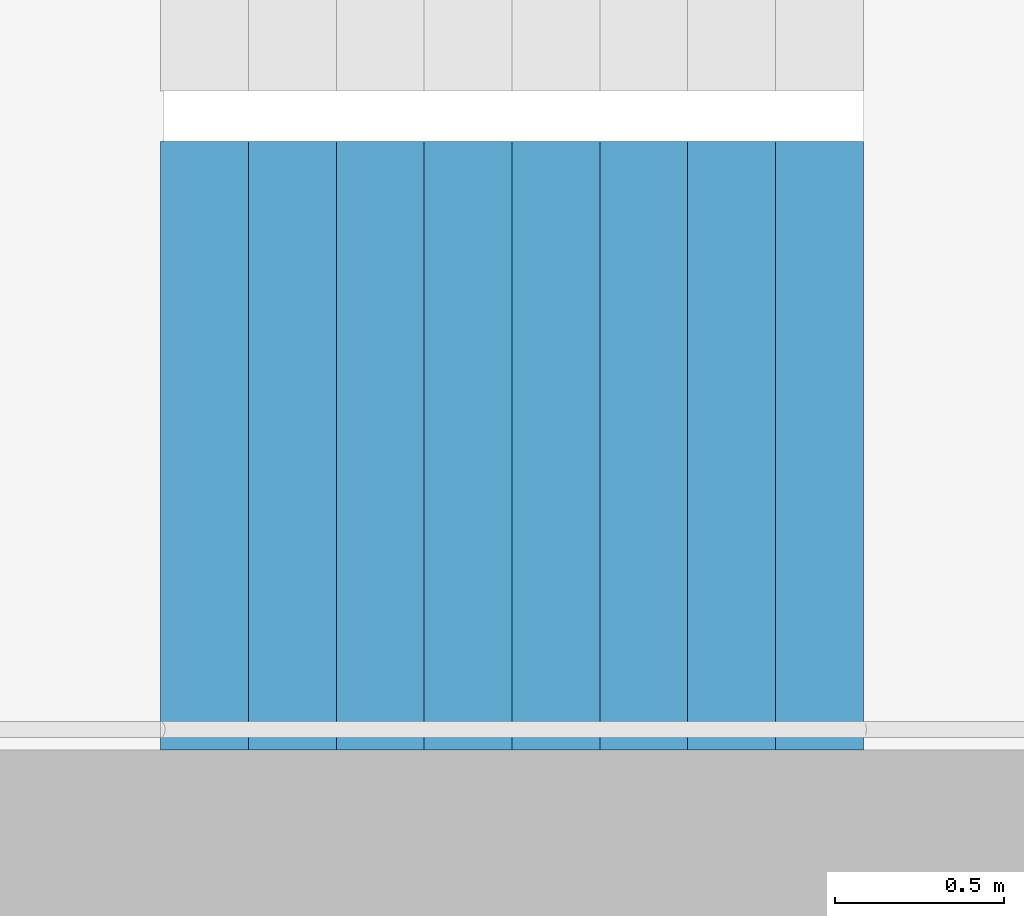
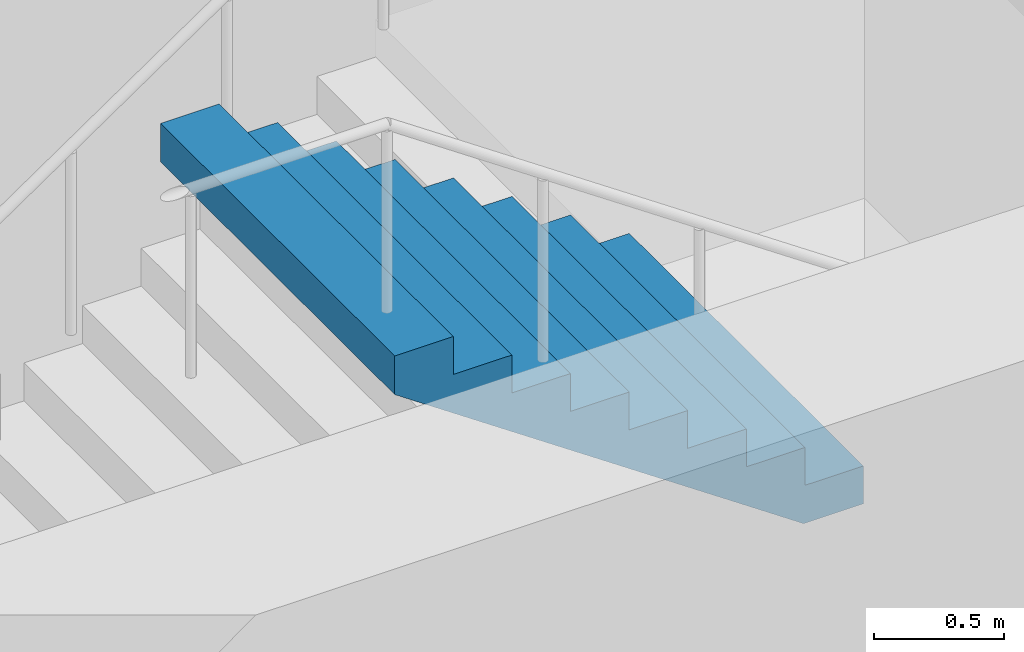
# One storey, part 21 of 29: 1 stair flight, 1 element without a shape of its own.
"""IFC4 building model written with IfcOpenShell, lengths in metres."""

from ifc_helpers import new_model, si_unit, direction, frame, origin, place, context, subcontext, project, spatial, triangles, material, type_object, element, aggregate, save


model = new_model("IFC4")

# Units and contexts
model_context = context("Model", 3, precision=1e-05, world=origin(), true_north=direction((0.0, 1.0)))
body_context = subcontext(model_context, "Body", "Model", "MODEL_VIEW")
ifc_project = project(units=[si_unit("LENGTHUNIT", "METRE"), si_unit("AREAUNIT", "SQUARE_METRE"), si_unit("VOLUMEUNIT", "CUBIC_METRE"), si_unit("PLANEANGLEUNIT", "RADIAN"), si_unit("MASSUNIT", "GRAM", prefix="KILO")], contexts=[model_context])

# Site, building, storey
site_placement = place(None, origin())
site = spatial("IfcSite", under=ifc_project, at=site_placement, CompositionType="ELEMENT")
building_placement = place(site_placement, origin())
building = spatial("IfcBuilding", under=site, at=building_placement, Name="Hakoniwa Tower and Hamabe Station Hall", CompositionType="ELEMENT")
storey_placement = place(building_placement, frame((0.0, 0.0, 205.800048828125)))
storey = spatial("IfcBuildingStorey", under=building, at=storey_placement, Name="L58", CompositionType="ELEMENT", Elevation=205.800048828125)

# Stair, stair flight
ifc_material_1 = material(Name="Concrete C40", Category="concrete")
stair_type = type_object("IfcStairType", Name="ESCAPE STAIR 1800", PredefinedType="HALF_TURN_STAIR", material=ifc_material_1)
stair_placement = place(storey_placement, origin())
stair = element("IfcStair", 1, at=stair_placement, inside=storey, type_object=stair_type, Name="Escape stair ST-4 L58", PredefinedType="HALF_TURN_STAIR")
ifc_material_2 = material(Name="Concrete C40", Category="concrete")
stair_flight_type = type_object("IfcStairFlightType", Name="STAIR FLIGHT 1800", PredefinedType="STRAIGHT", material=ifc_material_2)
stair_flight_placement = place(storey_placement, frame((25.47998046875, -6.60009765625, 1.599853515625), z_axis=(0.0, 0.0, 1.0), x_axis=(-1.0, 0.0, 0.0)))
stair_flight = element("IfcStairFlight", 2, at=stair_flight_placement, type_object=stair_flight_type, Name="ST-4 flight 2", NumberOfRisers=9, NumberOfTreads=8, PredefinedType="STRAIGHT", RiserHeight=0.177777778, TreadLength=0.26, context=body_context, shape_type="Tessellation", body=[
    triangles([(0.0, 0.89990234375, 0.0), (0.260009765625, 0.89990234375, 0.0), (0.265625, 0.89990234375, 0.0), (0.52001953125, 0.89990234375, 0.174072265625), (0.780029296875, 0.89990234375, 0.351806640625), (1.0400390625, 0.89990234375, 0.529541015625), (1.300048828125, 0.89990234375, 0.707275390625), (1.56005859375, 0.89990234375, 0.885009765625), (1.820068359375, 0.89990234375, 1.062744140625), (2.080078125, 0.89990234375, 1.24072265625), (2.080078125, 0.89990234375, 1.422119140625), (1.820068359375, 0.89990234375, 1.422119140625), (1.820068359375, 0.89990234375, 1.244384765625), (1.56005859375, 0.89990234375, 1.244384765625), (1.56005859375, 0.89990234375, 1.066650390625), (1.300048828125, 0.89990234375, 1.066650390625), (1.300048828125, 0.89990234375, 0.888916015625), (1.0400390625, 0.89990234375, 0.888916015625), (1.0400390625, 0.89990234375, 0.711181640625), (0.780029296875, 0.89990234375, 0.711181640625), (0.780029296875, 0.89990234375, 0.533447265625), (0.52001953125, 0.89990234375, 0.533447265625), (0.52001953125, 0.89990234375, 0.35546875), (0.265625, 0.89990234375, 0.35546875), (0.260009765625, 0.89990234375, 0.35546875), (0.260009765625, 0.89990234375, 0.177734375), (0.0, 0.89990234375, 0.177734375), (0.0, 0.06005859375, 0.0), (0.260009765625, 0.06005859375, 0.0), (0.265625, 0.06005859375, 0.0), (0.52001953125, 0.06005859375, 0.174072265625), (0.780029296875, 0.06005859375, 0.351806640625), (1.0400390625, 0.06005859375, 0.529541015625), (1.300048828125, 0.06005859375, 0.707275390625), (1.56005859375, 0.06005859375, 0.885009765625), (1.820068359375, 0.06005859375, 1.062744140625), (2.080078125, 0.06005859375, 1.24072265625), (2.080078125, 0.06005859375, 1.422119140625), (1.820068359375, 0.06005859375, 1.422119140625), (1.820068359375, 0.06005859375, 1.244384765625), (1.56005859375, 0.06005859375, 1.244384765625), (1.56005859375, 0.06005859375, 1.066650390625), (1.300048828125, 0.06005859375, 1.066650390625), (1.300048828125, 0.06005859375, 0.888916015625), (1.0400390625, 0.06005859375, 0.888916015625), (1.0400390625, 0.06005859375, 0.711181640625), (0.780029296875, 0.06005859375, 0.711181640625), (0.780029296875, 0.06005859375, 0.533447265625), (0.52001953125, 0.06005859375, 0.533447265625), (0.52001953125, 0.06005859375, 0.35546875), (0.265625, 0.06005859375, 0.35546875), (0.260009765625, 0.06005859375, 0.35546875), (0.260009765625, 0.06005859375, 0.177734375), (0.0, 0.06005859375, 0.177734375), (0.0, 0.04296875, 0.0), (0.260009765625, 0.04296875, 0.0), (0.265625, 0.04296875, 0.0), (0.52001953125, 0.04296875, 0.174072265625), (0.780029296875, 0.04296875, 0.351806640625), (1.0400390625, 0.04296875, 0.529541015625), (1.300048828125, 0.04296875, 0.707275390625), (1.56005859375, 0.04296875, 0.885009765625), (1.820068359375, 0.04296875, 1.062744140625), (2.080078125, 0.04296875, 1.24072265625), (2.080078125, 0.04296875, 1.422119140625), (1.820068359375, 0.04296875, 1.422119140625), (1.820068359375, 0.04296875, 1.244384765625), (1.56005859375, 0.04296875, 1.244384765625), (1.56005859375, 0.04296875, 1.066650390625), (1.300048828125, 0.04296875, 1.066650390625), (1.300048828125, 0.04296875, 0.888916015625), (1.0400390625, 0.04296875, 0.888916015625), (1.0400390625, 0.04296875, 0.711181640625), (0.780029296875, 0.04296875, 0.711181640625), (0.780029296875, 0.04296875, 0.533447265625), (0.52001953125, 0.04296875, 0.533447265625), (0.52001953125, 0.04296875, 0.35546875), (0.265625, 0.04296875, 0.35546875), (0.260009765625, 0.04296875, 0.35546875), (0.260009765625, 0.04296875, 0.177734375), (0.0, 0.04296875, 0.177734375), (0.0, 0.025634765625, 0.0), (0.260009765625, 0.025634765625, 0.0), (0.265625, 0.025634765625, 0.0), (0.52001953125, 0.025634765625, 0.174072265625), (0.780029296875, 0.025634765625, 0.351806640625), (1.0400390625, 0.025634765625, 0.529541015625), (1.300048828125, 0.025634765625, 0.707275390625), (1.56005859375, 0.025634765625, 0.885009765625), (1.820068359375, 0.025634765625, 1.062744140625), (2.080078125, 0.025634765625, 1.24072265625), (2.080078125, 0.025634765625, 1.422119140625), (1.820068359375, 0.025634765625, 1.422119140625), (1.820068359375, 0.025634765625, 1.244384765625), (1.56005859375, 0.025634765625, 1.244384765625), (1.56005859375, 0.025634765625, 1.066650390625), (1.300048828125, 0.025634765625, 1.066650390625), (1.300048828125, 0.025634765625, 0.888916015625), (1.0400390625, 0.025634765625, 0.888916015625), (1.0400390625, 0.025634765625, 0.711181640625), (0.780029296875, 0.025634765625, 0.711181640625), (0.780029296875, 0.025634765625, 0.533447265625), (0.52001953125, 0.025634765625, 0.533447265625), (0.52001953125, 0.025634765625, 0.35546875), (0.265625, 0.025634765625, 0.35546875), (0.260009765625, 0.025634765625, 0.35546875), (0.260009765625, 0.025634765625, 0.177734375), (0.0, 0.025634765625, 0.177734375), (0.0, 0.008544921875, 0.0), (0.260009765625, 0.008544921875, 0.0), (0.265625, 0.008544921875, 0.0), (0.52001953125, 0.008544921875, 0.174072265625), (0.780029296875, 0.008544921875, 0.351806640625), (1.0400390625, 0.008544921875, 0.529541015625), (1.300048828125, 0.008544921875, 0.707275390625), (1.56005859375, 0.008544921875, 0.885009765625), (1.820068359375, 0.008544921875, 1.062744140625), (2.080078125, 0.008544921875, 1.24072265625), (2.080078125, 0.008544921875, 1.422119140625), (1.820068359375, 0.008544921875, 1.422119140625), (1.820068359375, 0.008544921875, 1.244384765625), (1.56005859375, 0.008544921875, 1.244384765625), (1.56005859375, 0.008544921875, 1.066650390625), (1.300048828125, 0.008544921875, 1.066650390625), (1.300048828125, 0.008544921875, 0.888916015625), (1.0400390625, 0.008544921875, 0.888916015625), (1.0400390625, 0.008544921875, 0.711181640625), (0.780029296875, 0.008544921875, 0.711181640625), (0.780029296875, 0.008544921875, 0.533447265625), (0.52001953125, 0.008544921875, 0.533447265625), (0.52001953125, 0.008544921875, 0.35546875), (0.265625, 0.008544921875, 0.35546875), (0.260009765625, 0.008544921875, 0.35546875), (0.260009765625, 0.008544921875, 0.177734375), (0.0, 0.008544921875, 0.177734375), (0.0, -0.008544921875, 0.0), (0.260009765625, -0.008544921875, 0.0), (0.265625, -0.008544921875, 0.0), (0.52001953125, -0.008544921875, 0.174072265625), (0.780029296875, -0.008544921875, 0.351806640625), (1.0400390625, -0.008544921875, 0.529541015625), (1.300048828125, -0.008544921875, 0.707275390625), (1.56005859375, -0.008544921875, 0.885009765625), (1.820068359375, -0.008544921875, 1.062744140625), (2.080078125, -0.008544921875, 1.24072265625), (2.080078125, -0.008544921875, 1.422119140625), (1.820068359375, -0.008544921875, 1.422119140625), (1.820068359375, -0.008544921875, 1.244384765625), (1.56005859375, -0.008544921875, 1.244384765625), (1.56005859375, -0.008544921875, 1.066650390625), (1.300048828125, -0.008544921875, 1.066650390625), (1.300048828125, -0.008544921875, 0.888916015625), (1.0400390625, -0.008544921875, 0.888916015625), (1.0400390625, -0.008544921875, 0.711181640625), (0.780029296875, -0.008544921875, 0.711181640625), (0.780029296875, -0.008544921875, 0.533447265625), (0.52001953125, -0.008544921875, 0.533447265625), (0.52001953125, -0.008544921875, 0.35546875), (0.265625, -0.008544921875, 0.35546875), (0.260009765625, -0.008544921875, 0.35546875), (0.260009765625, -0.008544921875, 0.177734375), (0.0, -0.008544921875, 0.177734375), (0.0, -0.025634765625, 0.0), (0.260009765625, -0.025634765625, 0.0), (0.265625, -0.025634765625, 0.0), (0.52001953125, -0.025634765625, 0.174072265625), (0.780029296875, -0.025634765625, 0.351806640625), (1.0400390625, -0.025634765625, 0.529541015625), (1.300048828125, -0.025634765625, 0.707275390625), (1.56005859375, -0.025634765625, 0.885009765625), (1.820068359375, -0.025634765625, 1.062744140625), (2.080078125, -0.025634765625, 1.24072265625), (2.080078125, -0.025634765625, 1.422119140625), (1.820068359375, -0.025634765625, 1.422119140625), (1.820068359375, -0.025634765625, 1.244384765625), (1.56005859375, -0.025634765625, 1.244384765625), (1.56005859375, -0.025634765625, 1.066650390625), (1.300048828125, -0.025634765625, 1.066650390625), (1.300048828125, -0.025634765625, 0.888916015625), (1.0400390625, -0.025634765625, 0.888916015625), (1.0400390625, -0.025634765625, 0.711181640625), (0.780029296875, -0.025634765625, 0.711181640625), (0.780029296875, -0.025634765625, 0.533447265625), (0.52001953125, -0.025634765625, 0.533447265625), (0.52001953125, -0.025634765625, 0.35546875), (0.265625, -0.025634765625, 0.35546875), (0.260009765625, -0.025634765625, 0.35546875), (0.260009765625, -0.025634765625, 0.177734375), (0.0, -0.025634765625, 0.177734375), (0.0, -0.04296875, 0.0), (0.260009765625, -0.04296875, 0.0), (0.265625, -0.04296875, 0.0), (0.52001953125, -0.04296875, 0.174072265625), (0.780029296875, -0.04296875, 0.351806640625), (1.0400390625, -0.04296875, 0.529541015625), (1.300048828125, -0.04296875, 0.707275390625), (1.56005859375, -0.04296875, 0.885009765625), (1.820068359375, -0.04296875, 1.062744140625), (2.080078125, -0.04296875, 1.24072265625), (2.080078125, -0.04296875, 1.422119140625), (1.820068359375, -0.04296875, 1.422119140625), (1.820068359375, -0.04296875, 1.244384765625), (1.56005859375, -0.04296875, 1.244384765625), (1.56005859375, -0.04296875, 1.066650390625), (1.300048828125, -0.04296875, 1.066650390625), (1.300048828125, -0.04296875, 0.888916015625), (1.0400390625, -0.04296875, 0.888916015625), (1.0400390625, -0.04296875, 0.711181640625), (0.780029296875, -0.04296875, 0.711181640625), (0.780029296875, -0.04296875, 0.533447265625), (0.52001953125, -0.04296875, 0.533447265625), (0.52001953125, -0.04296875, 0.35546875), (0.265625, -0.04296875, 0.35546875), (0.260009765625, -0.04296875, 0.35546875), (0.260009765625, -0.04296875, 0.177734375), (0.0, -0.04296875, 0.177734375), (0.0, -0.06005859375, 0.0), (0.260009765625, -0.06005859375, 0.0), (0.265625, -0.06005859375, 0.0), (0.52001953125, -0.06005859375, 0.174072265625), (0.780029296875, -0.06005859375, 0.351806640625), (1.0400390625, -0.06005859375, 0.529541015625), (1.300048828125, -0.06005859375, 0.707275390625), (1.56005859375, -0.06005859375, 0.885009765625), (1.820068359375, -0.06005859375, 1.062744140625), (2.080078125, -0.06005859375, 1.24072265625), (2.080078125, -0.06005859375, 1.422119140625), (1.820068359375, -0.06005859375, 1.422119140625), (1.820068359375, -0.06005859375, 1.244384765625), (1.56005859375, -0.06005859375, 1.244384765625), (1.56005859375, -0.06005859375, 1.066650390625), (1.300048828125, -0.06005859375, 1.066650390625), (1.300048828125, -0.06005859375, 0.888916015625), (1.0400390625, -0.06005859375, 0.888916015625), (1.0400390625, -0.06005859375, 0.711181640625), (0.780029296875, -0.06005859375, 0.711181640625), (0.780029296875, -0.06005859375, 0.533447265625), (0.52001953125, -0.06005859375, 0.533447265625), (0.52001953125, -0.06005859375, 0.35546875), (0.265625, -0.06005859375, 0.35546875), (0.260009765625, -0.06005859375, 0.35546875), (0.260009765625, -0.06005859375, 0.177734375), (0.0, -0.06005859375, 0.177734375), (0.0, -0.89990234375, 0.0), (0.260009765625, -0.89990234375, 0.0), (0.265625, -0.89990234375, 0.0), (0.52001953125, -0.89990234375, 0.174072265625), (0.780029296875, -0.89990234375, 0.351806640625), (1.0400390625, -0.89990234375, 0.529541015625), (1.300048828125, -0.89990234375, 0.707275390625), (1.56005859375, -0.89990234375, 0.885009765625), (1.820068359375, -0.89990234375, 1.062744140625), (2.080078125, -0.89990234375, 1.24072265625), (2.080078125, -0.89990234375, 1.422119140625), (1.820068359375, -0.89990234375, 1.422119140625), (1.820068359375, -0.89990234375, 1.244384765625), (1.56005859375, -0.89990234375, 1.244384765625), (1.56005859375, -0.89990234375, 1.066650390625), (1.300048828125, -0.89990234375, 1.066650390625), (1.300048828125, -0.89990234375, 0.888916015625), (1.0400390625, -0.89990234375, 0.888916015625), (1.0400390625, -0.89990234375, 0.711181640625), (0.780029296875, -0.89990234375, 0.711181640625), (0.780029296875, -0.89990234375, 0.533447265625), (0.52001953125, -0.89990234375, 0.533447265625), (0.52001953125, -0.89990234375, 0.35546875), (0.265625, -0.89990234375, 0.35546875), (0.260009765625, -0.89990234375, 0.35546875), (0.260009765625, -0.89990234375, 0.177734375), (0.0, -0.89990234375, 0.177734375)], [[2, 27, 26], [245, 269, 270], [2, 1, 27], [245, 270, 244], [3, 25, 24], [246, 267, 268], [3, 26, 25], [246, 268, 269], [3, 2, 26], [246, 269, 245], [4, 24, 23], [247, 266, 267], [4, 3, 24], [247, 267, 246], [5, 22, 21], [248, 264, 265], [5, 23, 22], [248, 265, 266], [5, 4, 23], [248, 266, 247], [6, 20, 19], [249, 262, 263], [6, 21, 20], [249, 263, 264], [6, 5, 21], [249, 264, 248], [7, 18, 17], [250, 260, 261], [7, 19, 18], [250, 261, 262], [7, 6, 19], [250, 262, 249], [8, 16, 15], [251, 258, 259], [8, 17, 16], [251, 259, 260], [8, 7, 17], [251, 260, 250], [9, 14, 13], [252, 256, 257], [9, 15, 14], [252, 257, 258], [9, 8, 15], [252, 258, 251], [10, 12, 11], [253, 254, 255], [10, 13, 12], [253, 255, 256], [10, 9, 13], [253, 256, 252], [1, 2, 29], [1, 29, 28], [28, 29, 56], [28, 56, 55], [55, 56, 83], [55, 83, 82], [82, 83, 110], [82, 110, 109], [109, 110, 137], [109, 137, 136], [136, 137, 164], [136, 164, 163], [163, 164, 191], [163, 191, 190], [190, 191, 218], [190, 218, 217], [217, 218, 245], [217, 245, 244], [2, 3, 30], [2, 30, 29], [29, 30, 57], [29, 57, 56], [56, 57, 84], [56, 84, 83], [83, 84, 111], [83, 111, 110], [110, 111, 138], [110, 138, 137], [137, 138, 165], [137, 165, 164], [164, 165, 192], [164, 192, 191], [191, 192, 219], [191, 219, 218], [218, 219, 246], [218, 246, 245], [3, 4, 31], [3, 31, 30], [30, 31, 58], [30, 58, 57], [57, 58, 85], [57, 85, 84], [84, 85, 112], [84, 112, 111], [111, 112, 139], [111, 139, 138], [138, 139, 166], [138, 166, 165], [165, 166, 193], [165, 193, 192], [192, 193, 220], [192, 220, 219], [219, 220, 247], [219, 247, 246], [4, 5, 32], [4, 32, 31], [31, 32, 59], [31, 59, 58], [58, 59, 86], [58, 86, 85], [85, 86, 113], [85, 113, 112], [112, 113, 140], [112, 140, 139], [139, 140, 167], [139, 167, 166], [166, 167, 194], [166, 194, 193], [193, 194, 221], [193, 221, 220], [220, 221, 248], [220, 248, 247], [5, 6, 33], [5, 33, 32], [32, 33, 60], [32, 60, 59], [59, 60, 87], [59, 87, 86], [86, 87, 114], [86, 114, 113], [113, 114, 141], [113, 141, 140], [140, 141, 168], [140, 168, 167], [167, 168, 195], [167, 195, 194], [194, 195, 222], [194, 222, 221], [221, 222, 249], [221, 249, 248], [6, 7, 34], [6, 34, 33], [33, 34, 61], [33, 61, 60], [60, 61, 88], [60, 88, 87], [87, 88, 115], [87, 115, 114], [114, 115, 142], [114, 142, 141], [141, 142, 169], [141, 169, 168], [168, 169, 196], [168, 196, 195], [195, 196, 223], [195, 223, 222], [222, 223, 250], [222, 250, 249], [7, 8, 35], [7, 35, 34], [34, 35, 62], [34, 62, 61], [61, 62, 89], [61, 89, 88], [88, 89, 116], [88, 116, 115], [115, 116, 143], [115, 143, 142], [142, 143, 170], [142, 170, 169], [169, 170, 197], [169, 197, 196], [196, 197, 224], [196, 224, 223], [223, 224, 251], [223, 251, 250], [8, 9, 36], [8, 36, 35], [35, 36, 63], [35, 63, 62], [62, 63, 90], [62, 90, 89], [89, 90, 117], [89, 117, 116], [116, 117, 144], [116, 144, 143], [143, 144, 171], [143, 171, 170], [170, 171, 198], [170, 198, 197], [197, 198, 225], [197, 225, 224], [224, 225, 252], [224, 252, 251], [9, 10, 37], [9, 37, 36], [36, 37, 64], [36, 64, 63], [63, 64, 91], [63, 91, 90], [90, 91, 118], [90, 118, 117], [117, 118, 145], [117, 145, 144], [144, 145, 172], [144, 172, 171], [171, 172, 199], [171, 199, 198], [198, 199, 226], [198, 226, 225], [225, 226, 253], [225, 253, 252], [10, 11, 38], [10, 38, 37], [37, 38, 65], [37, 65, 64], [64, 65, 92], [64, 92, 91], [91, 92, 119], [91, 119, 118], [118, 119, 146], [118, 146, 145], [145, 146, 173], [145, 173, 172], [172, 173, 200], [172, 200, 199], [199, 200, 227], [199, 227, 226], [226, 227, 254], [226, 254, 253], [11, 12, 39], [11, 39, 38], [38, 39, 66], [38, 66, 65], [65, 66, 93], [65, 93, 92], [92, 93, 120], [92, 120, 119], [119, 120, 147], [119, 147, 146], [146, 147, 174], [146, 174, 173], [173, 174, 201], [173, 201, 200], [200, 201, 228], [200, 228, 227], [227, 228, 255], [227, 255, 254], [12, 13, 40], [12, 40, 39], [39, 40, 67], [39, 67, 66], [66, 67, 94], [66, 94, 93], [93, 94, 121], [93, 121, 120], [120, 121, 148], [120, 148, 147], [147, 148, 175], [147, 175, 174], [174, 175, 202], [174, 202, 201], [201, 202, 229], [201, 229, 228], [228, 229, 256], [228, 256, 255], [13, 14, 41], [13, 41, 40], [40, 41, 68], [40, 68, 67], [67, 68, 95], [67, 95, 94], [94, 95, 122], [94, 122, 121], [121, 122, 149], [121, 149, 148], [148, 149, 176], [148, 176, 175], [175, 176, 203], [175, 203, 202], [202, 203, 230], [202, 230, 229], [229, 230, 257], [229, 257, 256], [14, 15, 42], [14, 42, 41], [41, 42, 69], [41, 69, 68], [68, 69, 96], [68, 96, 95], [95, 96, 123], [95, 123, 122], [122, 123, 150], [122, 150, 149], [149, 150, 177], [149, 177, 176], [176, 177, 204], [176, 204, 203], [203, 204, 231], [203, 231, 230], [230, 231, 258], [230, 258, 257], [15, 16, 43], [15, 43, 42], [42, 43, 70], [42, 70, 69], [69, 70, 97], [69, 97, 96], [96, 97, 124], [96, 124, 123], [123, 124, 151], [123, 151, 150], [150, 151, 178], [150, 178, 177], [177, 178, 205], [177, 205, 204], [204, 205, 232], [204, 232, 231], [231, 232, 259], [231, 259, 258], [16, 17, 44], [16, 44, 43], [43, 44, 71], [43, 71, 70], [70, 71, 98], [70, 98, 97], [97, 98, 125], [97, 125, 124], [124, 125, 152], [124, 152, 151], [151, 152, 179], [151, 179, 178], [178, 179, 206], [178, 206, 205], [205, 206, 233], [205, 233, 232], [232, 233, 260], [232, 260, 259], [17, 18, 45], [17, 45, 44], [44, 45, 72], [44, 72, 71], [71, 72, 99], [71, 99, 98], [98, 99, 126], [98, 126, 125], [125, 126, 153], [125, 153, 152], [152, 153, 180], [152, 180, 179], [179, 180, 207], [179, 207, 206], [206, 207, 234], [206, 234, 233], [233, 234, 261], [233, 261, 260], [18, 19, 46], [18, 46, 45], [45, 46, 73], [45, 73, 72], [72, 73, 100], [72, 100, 99], [99, 100, 127], [99, 127, 126], [126, 127, 154], [126, 154, 153], [153, 154, 181], [153, 181, 180], [180, 181, 208], [180, 208, 207], [207, 208, 235], [207, 235, 234], [234, 235, 262], [234, 262, 261], [19, 20, 47], [19, 47, 46], [46, 47, 74], [46, 74, 73], [73, 74, 101], [73, 101, 100], [100, 101, 128], [100, 128, 127], [127, 128, 155], [127, 155, 154], [154, 155, 182], [154, 182, 181], [181, 182, 209], [181, 209, 208], [208, 209, 236], [208, 236, 235], [235, 236, 263], [235, 263, 262], [20, 21, 48], [20, 48, 47], [47, 48, 75], [47, 75, 74], [74, 75, 102], [74, 102, 101], [101, 102, 129], [101, 129, 128], [128, 129, 156], [128, 156, 155], [155, 156, 183], [155, 183, 182], [182, 183, 210], [182, 210, 209], [209, 210, 237], [209, 237, 236], [236, 237, 264], [236, 264, 263], [21, 22, 49], [21, 49, 48], [48, 49, 76], [48, 76, 75], [75, 76, 103], [75, 103, 102], [102, 103, 130], [102, 130, 129], [129, 130, 157], [129, 157, 156], [156, 157, 184], [156, 184, 183], [183, 184, 211], [183, 211, 210], [210, 211, 238], [210, 238, 237], [237, 238, 265], [237, 265, 264], [22, 23, 50], [22, 50, 49], [49, 50, 77], [49, 77, 76], [76, 77, 104], [76, 104, 103], [103, 104, 131], [103, 131, 130], [130, 131, 158], [130, 158, 157], [157, 158, 185], [157, 185, 184], [184, 185, 212], [184, 212, 211], [211, 212, 239], [211, 239, 238], [238, 239, 266], [238, 266, 265], [23, 24, 51], [23, 51, 50], [50, 51, 78], [50, 78, 77], [77, 78, 105], [77, 105, 104], [104, 105, 132], [104, 132, 131], [131, 132, 159], [131, 159, 158], [158, 159, 186], [158, 186, 185], [185, 186, 213], [185, 213, 212], [212, 213, 240], [212, 240, 239], [239, 240, 267], [239, 267, 266], [24, 25, 52], [24, 52, 51], [51, 52, 79], [51, 79, 78], [78, 79, 106], [78, 106, 105], [105, 106, 133], [105, 133, 132], [132, 133, 160], [132, 160, 159], [159, 160, 187], [159, 187, 186], [186, 187, 214], [186, 214, 213], [213, 214, 241], [213, 241, 240], [240, 241, 268], [240, 268, 267], [25, 26, 53], [25, 53, 52], [52, 53, 80], [52, 80, 79], [79, 80, 107], [79, 107, 106], [106, 107, 134], [106, 134, 133], [133, 134, 161], [133, 161, 160], [160, 161, 188], [160, 188, 187], [187, 188, 215], [187, 215, 214], [214, 215, 242], [214, 242, 241], [241, 242, 269], [241, 269, 268], [26, 27, 54], [26, 54, 53], [53, 54, 81], [53, 81, 80], [80, 81, 108], [80, 108, 107], [107, 108, 135], [107, 135, 134], [134, 135, 162], [134, 162, 161], [161, 162, 189], [161, 189, 188], [188, 189, 216], [188, 216, 215], [215, 216, 243], [215, 243, 242], [242, 243, 270], [242, 270, 269], [27, 1, 28], [27, 28, 54], [54, 28, 55], [54, 55, 81], [81, 55, 82], [81, 82, 108], [108, 82, 109], [108, 109, 135], [135, 109, 136], [135, 136, 162], [162, 136, 163], [162, 163, 189], [189, 163, 190], [189, 190, 216], [216, 190, 217], [216, 217, 243], [243, 217, 244], [243, 244, 270]], closed=True),
])
aggregate(stair, [stair_flight])

save(model, "model.ifc")
